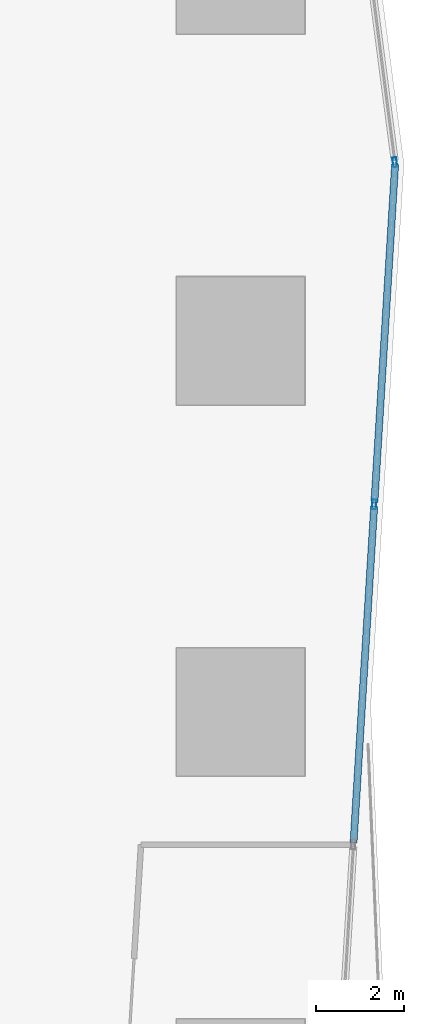
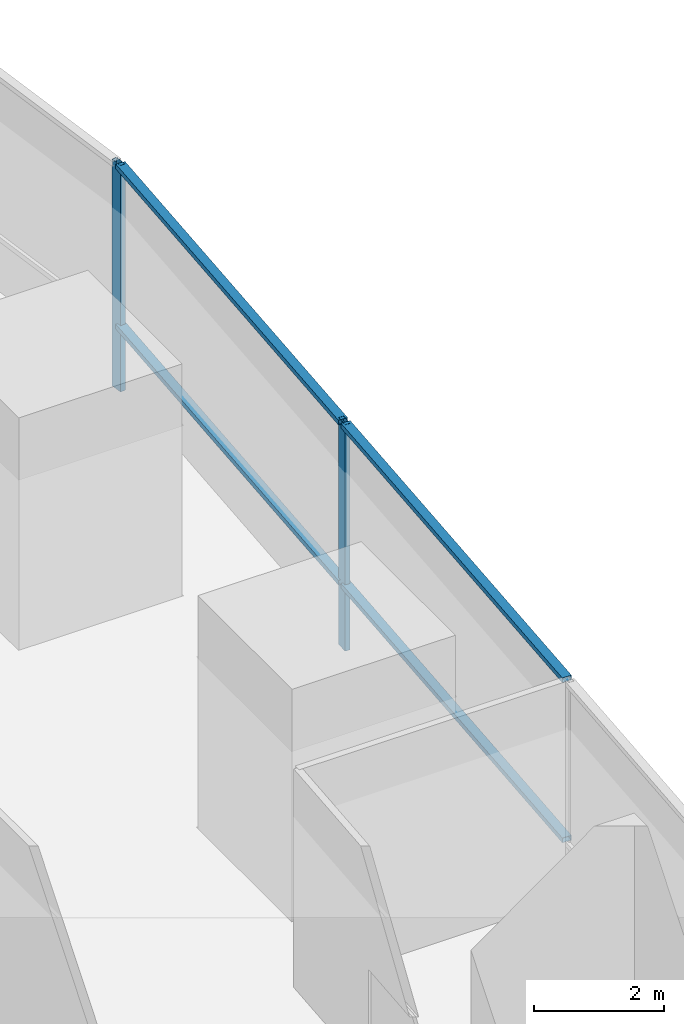
# One storey, part 15 of 44: 6 members, 2 elements without a shape of their own.
"""IFC4 building model written with IfcOpenShell, lengths in metres."""

from ifc_helpers import new_model, si_unit, direction, frame, origin, origin_2d, place, context, subcontext, project, spatial, hollow_rectangle, extrude, material, material_profile, profile_set, type_object, element, aggregate, save


model = new_model("IFC4")

# Units and contexts
model_context = context("Model", 3, precision=1e-05, world=origin(), true_north=direction((0.0, 1.0)))
body_context = subcontext(model_context, "Body", "Model", "MODEL_VIEW")
ifc_project = project(units=[si_unit("LENGTHUNIT", "METRE"), si_unit("AREAUNIT", "SQUARE_METRE"), si_unit("VOLUMEUNIT", "CUBIC_METRE"), si_unit("PLANEANGLEUNIT", "RADIAN"), si_unit("MASSUNIT", "GRAM", prefix="KILO")], contexts=[model_context])

# Site, building, storey
site_placement = place(None, origin())
site = spatial("IfcSite", under=ifc_project, at=site_placement, CompositionType="ELEMENT")
building_placement = place(site_placement, origin())
building = spatial("IfcBuilding", under=site, at=building_placement, Name="Rekha Terrace Tower", CompositionType="ELEMENT")
storey_placement = place(building_placement, frame((0.0, 0.0, 90.800048828125)))
storey = spatial("IfcBuildingStorey", under=building, at=storey_placement, Name="L22", CompositionType="ELEMENT", Elevation=90.800048828125)

# Curtain wall, member
ifc_material_1 = material(Name="Aluminium framing", Category="aluminium")
curtain_wall_type = type_object("IfcCurtainWallType", Name="CW5 sky garden glazing", PredefinedType="USERDEFINED", material=ifc_material_1)
curtain_wall_1_placement = place(storey_placement, origin())
curtain_wall_1 = element("IfcCurtainWall", 1, at=curtain_wall_1_placement, inside=storey, type_object=curtain_wall_type, Name="CW5 sky garden curtain wall", ObjectType="SKY GARDEN CURTAIN WALL", PredefinedType="USERDEFINED")
ifc_material_2 = material(Name="Aluminium mullion section", Category="aluminium")
ifc_material_profile_1 = material_profile(ifc_material_2, hollow_rectangle(XDim=0.090087890625, YDim=0.219970703125, WallThickness=0.00390625, at=origin_2d()), Name="AL RHS 90x220")
ifc_profile_set_1 = profile_set([ifc_material_profile_1], Name="Aluminium mullion section")
member_type_1 = type_object("IfcMemberType", Name="CW5 mullion RHS 90 x 220", PredefinedType="MULLION", material=ifc_profile_set_1)
member_1_placement = place(storey_placement, frame((70.227294921875, 38.299072265625, 0.0), z_axis=(0.0, 0.0, 1.0), x_axis=(-0.998127987025, 0.061159803113, 0.0)))
member_1 = element("IfcMember", 2, at=member_1_placement, type_object=member_type_1, Name="CW5 mullion 4", PredefinedType="MULLION", context=body_context, shape_type="SweptSolid", body=[
    extrude(hollow_rectangle(XDim=0.090087890625, YDim=0.219970703125, WallThickness=0.00390625, at=origin_2d()), origin(), (0.0, 0.0, 1.0), 4.25),
])

curtain_wall_2_placement = place(storey_placement, origin())
curtain_wall_2 = element("IfcCurtainWall", 3, at=curtain_wall_2_placement, inside=storey, type_object=curtain_wall_type, Name="CW5 sky garden curtain wall", ObjectType="SKY GARDEN CURTAIN WALL", PredefinedType="USERDEFINED")
member_2_placement = place(storey_placement, frame((70.693359375, 46.045654296875, 0.0), z_axis=(0.0, 0.0, 1.0), x_axis=(-0.991629186248, -0.129118383589, 0.0)))
member_2 = element("IfcMember", 4, at=member_2_placement, type_object=member_type_1, Name="CW5 mullion 1", PredefinedType="MULLION", context=body_context, shape_type="SweptSolid", body=[
    extrude(hollow_rectangle(XDim=0.090087890625, YDim=0.219970703125, WallThickness=0.00390625, at=origin_2d()), origin(), (0.0, 0.0, 1.0), 4.25),
])
aggregate(curtain_wall_2, [member_2])

# Member
ifc_material_3 = material(Name="Aluminium transom section", Category="aluminium")
ifc_material_profile_2 = material_profile(ifc_material_3, hollow_rectangle(XDim=0.159912109375, YDim=0.090087890625, WallThickness=0.0029296875, at=origin_2d()), Name="AL RHS 160x90")
ifc_profile_set_2 = profile_set([ifc_material_profile_2], Name="Aluminium transom section")
member_type_2 = type_object("IfcMemberType", Name="CW5 transom RHS 90 x 160", PredefinedType="USERDEFINED", material=ifc_profile_set_2)
member_3_placement = place(storey_placement, frame((69.758056640625, 30.641845703125, 1.199951171875), z_axis=(0.061174498468, 0.998127086466, 0.0), x_axis=(-0.998127086466, 0.061174498468, 0.0)))
member_3 = element("IfcMember", 5, at=member_3_placement, type_object=member_type_2, Name="CW5 transom 3.2", ObjectType="TRANSOM", PredefinedType="USERDEFINED", context=body_context, shape_type="SweptSolid", body=[
    extrude(hollow_rectangle(XDim=0.159912109375, YDim=0.090087890625, WallThickness=0.0029296875, at=origin_2d()), origin(), (0.0, 0.0, 1.0), 7.626708984375),
])

member_4_placement = place(storey_placement, frame((69.758056640625, 30.641845703125, 4.204833984375), z_axis=(0.061174498468, 0.998127086466, 0.0), x_axis=(-0.998127086466, 0.061174498468, 0.0)))
member_4 = element("IfcMember", 6, at=member_4_placement, type_object=member_type_2, Name="CW5 transom 3.3", ObjectType="TRANSOM", PredefinedType="USERDEFINED", context=body_context, shape_type="SweptSolid", body=[
    extrude(hollow_rectangle(XDim=0.159912109375, YDim=0.090087890625, WallThickness=0.0029296875, at=origin_2d()), origin(), (0.0, 0.0, 1.0), 7.626708984375),
])

member_5_placement = place(storey_placement, frame((70.22998046875, 38.343994140625, 1.199951171875), z_axis=(0.06116570895, 0.998127625131, 0.0), x_axis=(-0.998127625131, 0.06116570895, 0.0)))
member_5 = element("IfcMember", 7, at=member_5_placement, type_object=member_type_2, Name="CW5 transom 4.2", ObjectType="TRANSOM", PredefinedType="USERDEFINED", context=body_context, shape_type="SweptSolid", body=[
    extrude(hollow_rectangle(XDim=0.159912109375, YDim=0.090087890625, WallThickness=0.0029296875, at=origin_2d()), origin(), (0.0, 0.0, 1.0), 7.671630859375),
])

member_6_placement = place(storey_placement, frame((70.22998046875, 38.343994140625, 4.204833984375), z_axis=(0.06116570895, 0.998127625131, 0.0), x_axis=(-0.998127625131, 0.06116570895, 0.0)))
member_6 = element("IfcMember", 8, at=member_6_placement, type_object=member_type_2, Name="CW5 transom 4.3", ObjectType="TRANSOM", PredefinedType="USERDEFINED", context=body_context, shape_type="SweptSolid", body=[
    extrude(hollow_rectangle(XDim=0.159912109375, YDim=0.090087890625, WallThickness=0.0029296875, at=origin_2d()), origin(), (0.0, 0.0, 1.0), 7.671630859375),
])

aggregate(curtain_wall_1, [member_1, member_3, member_4, member_5, member_6])

save(model, "model.ifc")
